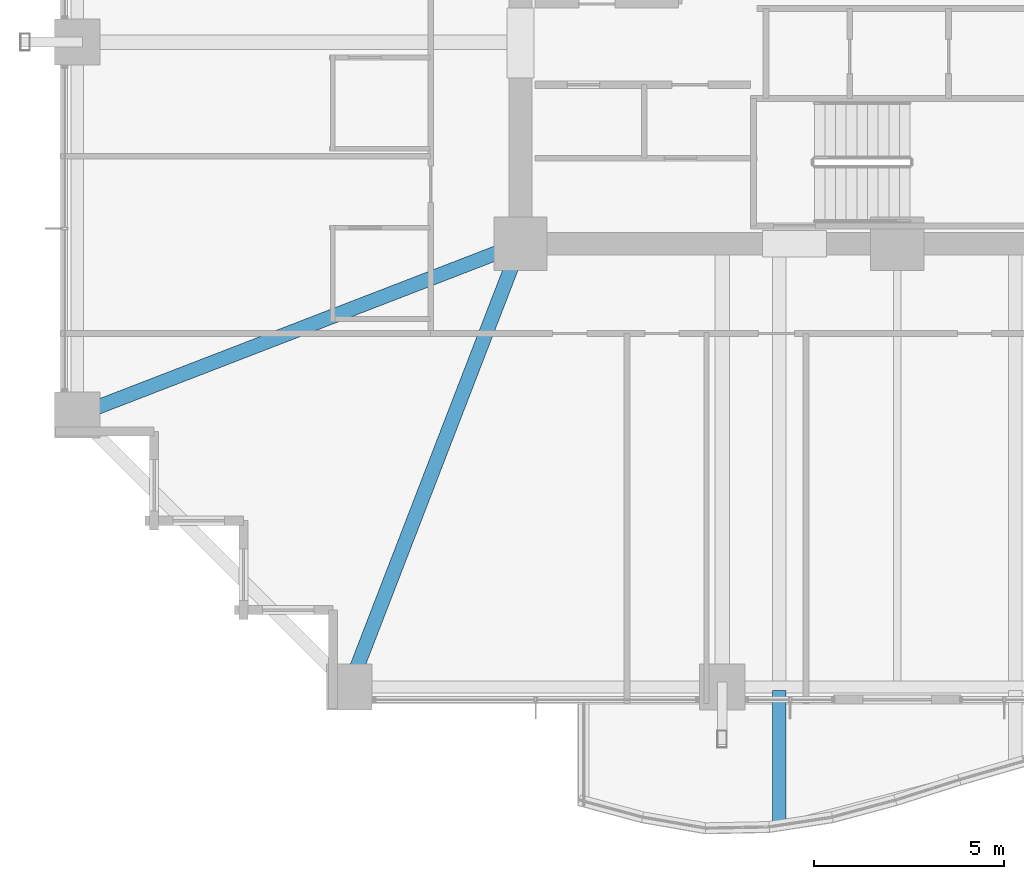
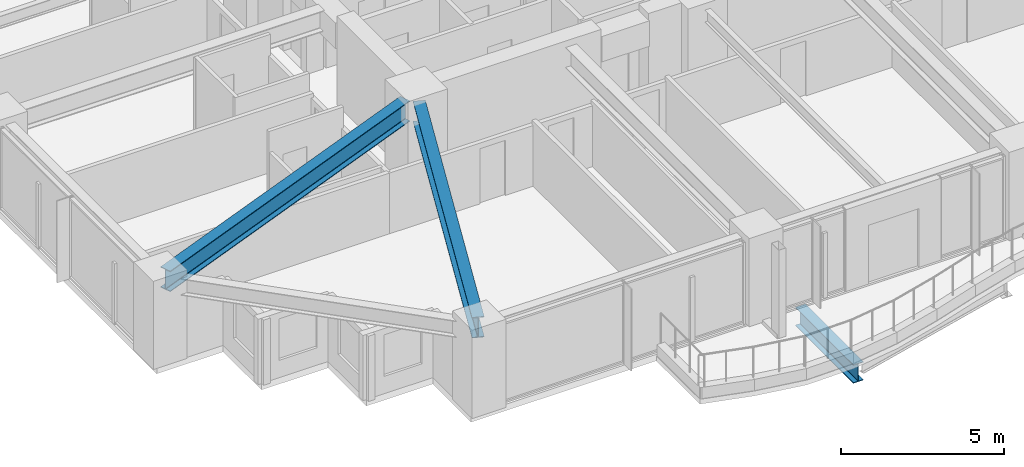
# One storey, part 4 of 38: 3 beams.
"""IFC4 building model written with IfcOpenShell, lengths in metres."""

from ifc_helpers import new_model, si_unit, direction, frame, origin, origin_2d, place, context, subcontext, project, spatial, i_section, extrude, material, material_profile, profile_set, type_object, element, save


model = new_model("IFC4")

# Units and contexts
model_context = context("Model", 3, precision=1e-05, world=origin(), true_north=direction((0.0, 1.0)))
body_context = subcontext(model_context, "Body", "Model", "MODEL_VIEW")
ifc_project = project(units=[si_unit("LENGTHUNIT", "METRE"), si_unit("AREAUNIT", "SQUARE_METRE"), si_unit("VOLUMEUNIT", "CUBIC_METRE"), si_unit("PLANEANGLEUNIT", "RADIAN"), si_unit("MASSUNIT", "GRAM", prefix="KILO")], contexts=[model_context])

# Site, building, storey
site_placement = place(None, origin())
site = spatial("IfcSite", under=ifc_project, at=site_placement, CompositionType="ELEMENT")
building_placement = place(site_placement, origin())
building = spatial("IfcBuilding", under=site, at=building_placement, Name="Kolvaren Belvedere", CompositionType="ELEMENT")
storey_placement = place(building_placement, frame((0.0, 0.0, 50.199951171875)))
storey = spatial("IfcBuildingStorey", under=building, at=storey_placement, Name="L14", CompositionType="ELEMENT", Elevation=50.199951171875)

# Beams
ifc_material_1 = material(Name="Structural steel ASTM A992 Grade 50", Category="steel")
ifc_material_profile_1 = material_profile(ifc_material_1, i_section(OverallWidth=0.35498046875, OverallDepth=0.696044921875, WebThickness=0.015380859375, FlangeThickness=0.02490234375, FilletRadius=0.02197265625, at=origin_2d()), Name="W27X146")
ifc_profile_set_1 = profile_set([ifc_material_profile_1], Name="Structural steel ASTM A992 Grade 50")
beam_type_1 = type_object("IfcBeamType", Name="BM-CANT-BAL", PredefinedType="BEAM", material=ifc_profile_set_1)
beam_placement = place(storey_placement, frame((-3.10009765625, -21.64501953125, -0.587890625), z_axis=(0.0, -1.0, 0.0), x_axis=(1.0, 0.0, 0.0)))
element("IfcBeam", 1, at=beam_placement, inside=storey, type_object=beam_type_1, Name="L14 Planted Balcony Cantilever BAL-S-1", PredefinedType="BEAM", context=body_context, shape_type="SweptSolid", body=[
    extrude(i_section(OverallWidth=0.35498046875, OverallDepth=0.696044921875, WebThickness=0.015380859375, FlangeThickness=0.02490234375, FilletRadius=0.02197265625, at=origin_2d()), origin(), (0.0, 0.0, 1.0), 3.56103515625),
])
ifc_material_2 = material(Name="Structural steel ASTM A992 Grade 50", Category="steel")
ifc_material_profile_2 = material_profile(ifc_material_2, i_section(OverallWidth=0.381103515625, OverallDepth=0.77294921875, WebThickness=0.0166015625, FlangeThickness=0.027099609375, FilletRadius=0.02392578125, at=origin_2d()), Name="W30X173")
ifc_profile_set_2 = profile_set([ifc_material_profile_2], Name="Structural steel ASTM A992 Grade 50")
beam_type_2 = type_object("IfcBeamType", Name="BM-GIRD-W30X173", PredefinedType="BEAM", material=ifc_profile_set_2)
for number, where, z_axis, x_axis, name in (
    (2, (-10.09814453125, -10.4130859375, 2.673583984375), (-0.360318391835, -0.932829382313, 0.0), (0.932829382313, -0.360318391835, 0.0), "L14 Corner Core-to-Perimeter Girder CC1-S1"),
    (3, (-10.4130859375, -10.09814453125, 2.673583984375), (-0.932829382313, -0.360318391835, 0.0), (0.360318391835, -0.932829382313, 0.0), "L14 Corner Core-to-Perimeter Girder CC1-W1"),
):
    element("IfcBeam", number, at=place(storey_placement, frame(where, z_axis=z_axis, x_axis=x_axis)), inside=storey, type_object=beam_type_2, Name=name, PredefinedType="BEAM", context=body_context, shape_type="SweptSolid", body=[
        extrude(i_section(OverallWidth=0.381103515625, OverallDepth=0.77294921875, WebThickness=0.0166015625, FlangeThickness=0.027099609375, FilletRadius=0.02392578125, at=origin_2d()), origin(), (0.0, 0.0, 1.0), 11.698974609375),
    ])

save(model, "model.ifc")
